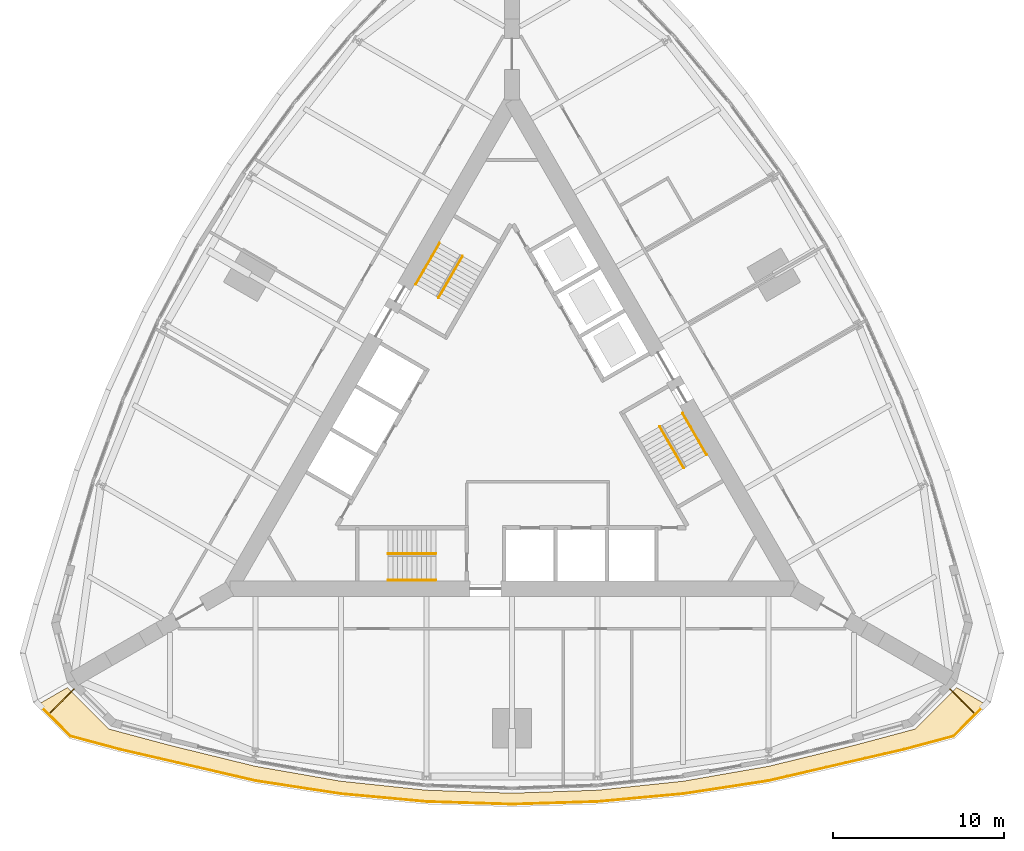
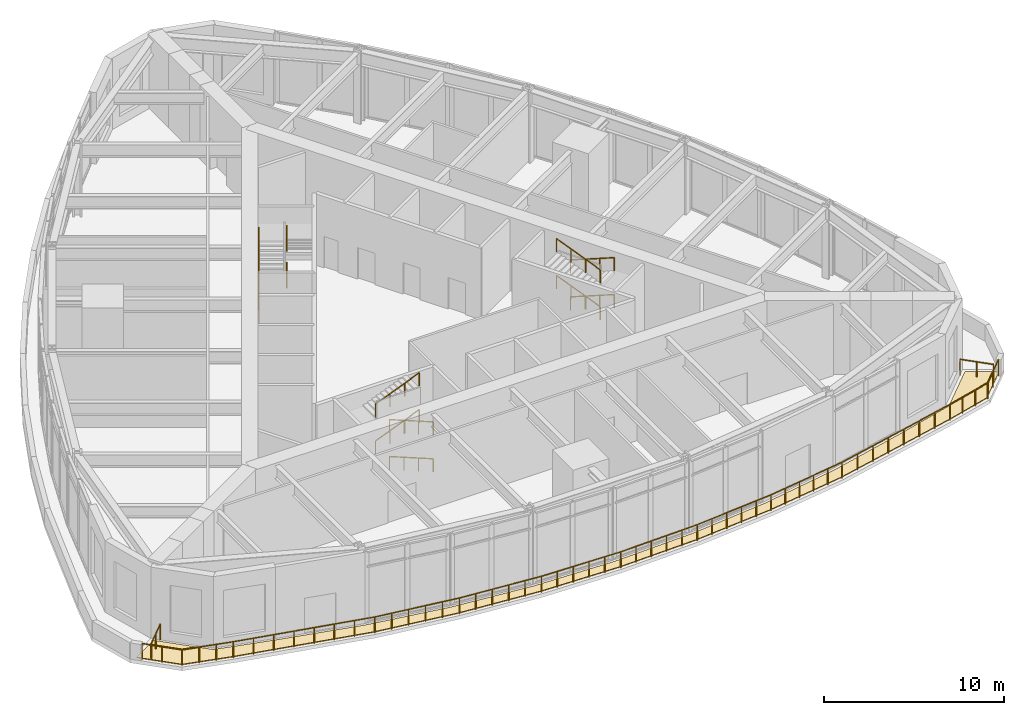
# One storey, part 13 of 14: 15 railings, 1 covering.
"""IFC4 building model written with IfcOpenShell, lengths in metres."""

from ifc_helpers import new_model, si_unit, direction, frame, origin, origin_2d, place, context, subcontext, project, spatial, polyline, circle, outline, extrude, material, layer, layer_set, type_object, element, save


model = new_model("IFC4")

# Units and contexts
model_context = context("Model", 3, precision=1e-05, world=origin(), true_north=direction((0.0, 1.0)))
body_context = subcontext(model_context, "Body", "Model", "MODEL_VIEW")
ifc_project = project(units=[si_unit("LENGTHUNIT", "METRE"), si_unit("AREAUNIT", "SQUARE_METRE"), si_unit("VOLUMEUNIT", "CUBIC_METRE"), si_unit("PLANEANGLEUNIT", "RADIAN"), si_unit("MASSUNIT", "GRAM", prefix="KILO")], contexts=[model_context])

# Site, building, storey
site_placement = place(None, origin())
site = spatial("IfcSite", under=ifc_project, at=site_placement, CompositionType="ELEMENT")
building_placement = place(site_placement, origin())
building = spatial("IfcBuilding", under=site, at=building_placement, Name="Trikona Tower", CompositionType="ELEMENT")
storey_placement = place(building_placement, frame((0.0, 0.0, 109.699951171875)))
storey = spatial("IfcBuildingStorey", under=building, at=storey_placement, Name="L28", CompositionType="ELEMENT", Elevation=109.699951171875)

# Railings
ifc_material_1 = material(Name="Galvanised steel fence with welded mesh infill", Category="steel")
railing_type_1 = type_object("IfcRailingType", Name="Green roof fence 1100", PredefinedType="GUARDRAIL", material=ifc_material_1)
railing_1_placement = place(storey_placement, frame((-26.981689453125, -16.760009765625, 0.0)))
element("IfcRailing", 1, at=railing_1_placement, inside=storey, type_object=railing_type_1, Name="Green roof fence L28-1a", PredefinedType="GUARDRAIL", context=body_context, shape_type="SweptSolid", body=[
    extrude(circle(Radius=0.02392578125, at=origin_2d()), frame((0.0, 0.0, 1.076171875), z_axis=(0.707106781187, 0.707106781187, 0.0), x_axis=(-0.707106781187, 0.707106781187, 0.0)), (0.0, 0.0, 1.0), 1.9306640625),
    extrude(circle(Radius=0.02099609375, at=origin_2d()), origin(), (0.0, 0.0, 1.0), 1.052001953125),
    extrude(circle(Radius=0.02099609375, at=origin_2d()), frame((0.6826171875, 0.6826171875, 0.0)), (0.0, 0.0, 1.0), 1.052001953125),
    extrude(circle(Radius=0.02099609375, at=origin_2d()), frame((1.365234375, 1.365234375, 0.0)), (0.0, 0.0, 1.0), 1.052001953125),
])
railing_2_placement = place(storey_placement, frame((26.981689453125, -16.760009765625, 0.0)))
element("IfcRailing", 2, at=railing_2_placement, inside=storey, type_object=railing_type_1, Name="Green roof fence L28-1b", PredefinedType="GUARDRAIL", context=body_context, shape_type="SweptSolid", body=[
    extrude(circle(Radius=0.02392578125, at=origin_2d()), frame((0.0, 0.0, 1.076171875), z_axis=(-0.707106781187, 0.707106781187, 0.0), x_axis=(-0.707106781187, -0.707106781187, 0.0)), (0.0, 0.0, 1.0), 1.9306640625),
    extrude(circle(Radius=0.02099609375, at=origin_2d()), origin(), (0.0, 0.0, 1.0), 1.052001953125),
    extrude(circle(Radius=0.02099609375, at=origin_2d()), frame((-0.6826171875, 0.6826171875, 0.0)), (0.0, 0.0, 1.0), 1.052001953125),
    extrude(circle(Radius=0.02099609375, at=origin_2d()), frame((-1.365234375, 1.365234375, 0.0)), (0.0, 0.0, 1.0), 1.052001953125),
])
ifc_material_2 = material(Name="Stainless steel handrail", Category="steel")
railing_type_2 = type_object("IfcRailingType", Name="Stair handrail", PredefinedType="HANDRAIL", material=ifc_material_2)
railing_3_placement = place(storey_placement, frame((-4.449951171875, -9.016357421875, 0.11376953125)))
element("IfcRailing", 3, at=railing_3_placement, inside=storey, type_object=railing_type_2, Name="Stair handrail A L28 1", PredefinedType="HANDRAIL", context=body_context, shape_type="SweptSolid", body=[
    extrude(circle(Radius=0.02392578125, at=origin_2d()), frame((0.0, 0.0, 0.8759765625), z_axis=(-0.92661529123, 0.0, 0.376010773859), x_axis=(0.0, -1.0, 0.0)), (0.0, 0.0, 1.0), 3.021728515625),
    extrude(circle(Radius=0.02099609375, at=origin_2d()), origin(), (0.0, 0.0, 1.0), 0.851806640625),
    extrude(circle(Radius=0.02099609375, at=origin_2d()), frame((-0.933349609375, 0.0, 0.378662109375)), (0.0, 0.0, 1.0), 0.851806640625),
    extrude(circle(Radius=0.02099609375, at=origin_2d()), frame((-1.86669921875, 0.0, 0.757568359375)), (0.0, 0.0, 1.0), 0.851806640625),
    extrude(circle(Radius=0.02099609375, at=origin_2d()), frame((-2.800048828125, 0.0, 1.13623046875)), (0.0, 0.0, 1.0), 0.851806640625),
])
railing_4_placement = place(storey_placement, frame((-7.25, -7.46630859375, 1.36376953125)))
element("IfcRailing", 4, at=railing_4_placement, inside=storey, type_object=railing_type_2, Name="Stair handrail A L28 2", PredefinedType="HANDRAIL", context=body_context, shape_type="SweptSolid", body=[
    extrude(circle(Radius=0.02392578125, at=origin_2d()), frame((0.0, 0.0, 0.8759765625), z_axis=(0.92661529123, 0.0, 0.376010773859), x_axis=(0.0, 1.0, 0.0)), (0.0, 0.0, 1.0), 3.021728515625),
    extrude(circle(Radius=0.02099609375, at=origin_2d()), origin(), (0.0, 0.0, 1.0), 0.851806640625),
    extrude(circle(Radius=0.02099609375, at=origin_2d()), frame((0.933349609375, 0.0, 0.378662109375)), (0.0, 0.0, 1.0), 0.851806640625),
    extrude(circle(Radius=0.02099609375, at=origin_2d()), frame((1.86669921875, 0.0, 0.757568359375)), (0.0, 0.0, 1.0), 0.851806640625),
    extrude(circle(Radius=0.02099609375, at=origin_2d()), frame((2.800048828125, 0.0, 1.13623046875)), (0.0, 0.0, 1.0), 0.851806640625),
])
railing_5_placement = place(storey_placement, frame((-4.449951171875, -9.016357421875, 2.61376953125)))
element("IfcRailing", 5, at=railing_5_placement, inside=storey, type_object=railing_type_2, Name="Stair handrail A L28 3", PredefinedType="HANDRAIL", context=body_context, shape_type="SweptSolid", body=[
    extrude(circle(Radius=0.02392578125, at=origin_2d()), frame((0.0, 0.0, 0.8759765625), z_axis=(-0.92661529123, 0.0, 0.376010773859), x_axis=(0.0, -1.0, 0.0)), (0.0, 0.0, 1.0), 3.021728515625),
    extrude(circle(Radius=0.02099609375, at=origin_2d()), origin(), (0.0, 0.0, 1.0), 0.851806640625),
    extrude(circle(Radius=0.02099609375, at=origin_2d()), frame((-0.933349609375, 0.0, 0.378662109375)), (0.0, 0.0, 1.0), 0.851806640625),
    extrude(circle(Radius=0.02099609375, at=origin_2d()), frame((-1.86669921875, 0.0, 0.757568359375)), (0.0, 0.0, 1.0), 0.851806640625),
    extrude(circle(Radius=0.02099609375, at=origin_2d()), frame((-2.800048828125, 0.0, 1.13623046875)), (0.0, 0.0, 1.0), 0.851806640625),
])
railing_6_placement = place(storey_placement, frame((-7.25, -7.46630859375, 3.86376953125)))
element("IfcRailing", 6, at=railing_6_placement, inside=storey, type_object=railing_type_2, Name="Stair handrail A L28 4", PredefinedType="HANDRAIL", context=body_context, shape_type="SweptSolid", body=[
    extrude(circle(Radius=0.02392578125, at=origin_2d()), frame((0.0, 0.0, 0.8759765625), z_axis=(0.92661529123, 0.0, 0.376010773859), x_axis=(0.0, 1.0, 0.0)), (0.0, 0.0, 1.0), 3.021728515625),
    extrude(circle(Radius=0.02099609375, at=origin_2d()), origin(), (0.0, 0.0, 1.0), 0.851806640625),
    extrude(circle(Radius=0.02099609375, at=origin_2d()), frame((0.933349609375, 0.0, 0.378662109375)), (0.0, 0.0, 1.0), 0.851806640625),
    extrude(circle(Radius=0.02099609375, at=origin_2d()), frame((1.86669921875, 0.0, 0.757568359375)), (0.0, 0.0, 1.0), 0.851806640625),
    extrude(circle(Radius=0.02099609375, at=origin_2d()), frame((2.800048828125, 0.0, 1.13623046875)), (0.0, 0.0, 1.0), 0.851806640625),
])
railing_7_placement = place(storey_placement, frame((9.9833984375, 0.740966796875, 0.11376953125)))
element("IfcRailing", 7, at=railing_7_placement, inside=storey, type_object=railing_type_2, Name="Stair handrail B L28 1", PredefinedType="HANDRAIL", context=body_context, shape_type="SweptSolid", body=[
    extrude(circle(Radius=0.02392578125, at=origin_2d()), frame((0.0, 0.0, 0.8759765625), z_axis=(0.463259259941, -0.802503353505, 0.37600428946), x_axis=(0.866056369097, 0.49994636267, 0.0)), (0.0, 0.0, 1.0), 3.02197265625),
    extrude(circle(Radius=0.02099609375, at=origin_2d()), origin(), (0.0, 0.0, 1.0), 0.851806640625),
    extrude(circle(Radius=0.02099609375, at=origin_2d()), frame((0.466552734375, -0.808349609375, 0.378662109375)), (0.0, 0.0, 1.0), 0.851806640625),
    extrude(circle(Radius=0.02099609375, at=origin_2d()), frame((0.933349609375, -1.61669921875, 0.757568359375)), (0.0, 0.0, 1.0), 0.851806640625),
    extrude(circle(Radius=0.02099609375, at=origin_2d()), frame((1.39990234375, -2.425048828125, 1.13623046875)), (0.0, 0.0, 1.0), 0.851806640625),
])
railing_8_placement = place(storey_placement, frame((10.041015625, -2.458984375, 1.36376953125)))
element("IfcRailing", 8, at=railing_8_placement, inside=storey, type_object=railing_type_2, Name="Stair handrail B L28 2", PredefinedType="HANDRAIL", context=body_context, shape_type="SweptSolid", body=[
    extrude(circle(Radius=0.02392578125, at=origin_2d()), frame((0.0, 0.0, 0.8759765625), z_axis=(-0.463259259941, 0.802503353505, 0.37600428946), x_axis=(-0.866056369097, -0.49994636267, 0.0)), (0.0, 0.0, 1.0), 3.02197265625),
    extrude(circle(Radius=0.02099609375, at=origin_2d()), origin(), (0.0, 0.0, 1.0), 0.851806640625),
    extrude(circle(Radius=0.02099609375, at=origin_2d()), frame((-0.466552734375, 0.808349609375, 0.378662109375)), (0.0, 0.0, 1.0), 0.851806640625),
    extrude(circle(Radius=0.02099609375, at=origin_2d()), frame((-0.933349609375, 1.61669921875, 0.757568359375)), (0.0, 0.0, 1.0), 0.851806640625),
    extrude(circle(Radius=0.02099609375, at=origin_2d()), frame((-1.39990234375, 2.425048828125, 1.13623046875)), (0.0, 0.0, 1.0), 0.851806640625),
])
railing_9_placement = place(storey_placement, frame((9.9833984375, 0.740966796875, 2.61376953125)))
element("IfcRailing", 9, at=railing_9_placement, inside=storey, type_object=railing_type_2, Name="Stair handrail B L28 3", PredefinedType="HANDRAIL", context=body_context, shape_type="SweptSolid", body=[
    extrude(circle(Radius=0.02392578125, at=origin_2d()), frame((0.0, 0.0, 0.8759765625), z_axis=(0.463259259941, -0.802503353505, 0.37600428946), x_axis=(0.866056369097, 0.49994636267, 0.0)), (0.0, 0.0, 1.0), 3.02197265625),
    extrude(circle(Radius=0.02099609375, at=origin_2d()), origin(), (0.0, 0.0, 1.0), 0.851806640625),
    extrude(circle(Radius=0.02099609375, at=origin_2d()), frame((0.466552734375, -0.808349609375, 0.378662109375)), (0.0, 0.0, 1.0), 0.851806640625),
    extrude(circle(Radius=0.02099609375, at=origin_2d()), frame((0.933349609375, -1.61669921875, 0.757568359375)), (0.0, 0.0, 1.0), 0.851806640625),
    extrude(circle(Radius=0.02099609375, at=origin_2d()), frame((1.39990234375, -2.425048828125, 1.13623046875)), (0.0, 0.0, 1.0), 0.851806640625),
])
railing_10_placement = place(storey_placement, frame((10.041015625, -2.458984375, 3.86376953125)))
element("IfcRailing", 10, at=railing_10_placement, inside=storey, type_object=railing_type_2, Name="Stair handrail B L28 4", PredefinedType="HANDRAIL", context=body_context, shape_type="SweptSolid", body=[
    extrude(circle(Radius=0.02392578125, at=origin_2d()), frame((0.0, 0.0, 0.8759765625), z_axis=(-0.463259259941, 0.802503353505, 0.37600428946), x_axis=(-0.866056369097, -0.49994636267, 0.0)), (0.0, 0.0, 1.0), 3.02197265625),
    extrude(circle(Radius=0.02099609375, at=origin_2d()), origin(), (0.0, 0.0, 1.0), 0.851806640625),
    extrude(circle(Radius=0.02099609375, at=origin_2d()), frame((-0.466552734375, 0.808349609375, 0.378662109375)), (0.0, 0.0, 1.0), 0.851806640625),
    extrude(circle(Radius=0.02099609375, at=origin_2d()), frame((-0.933349609375, 1.61669921875, 0.757568359375)), (0.0, 0.0, 1.0), 0.851806640625),
    extrude(circle(Radius=0.02099609375, at=origin_2d()), frame((-1.39990234375, 2.425048828125, 1.13623046875)), (0.0, 0.0, 1.0), 0.851806640625),
])
railing_11_placement = place(storey_placement, frame((-5.63330078125, 8.275390625, 0.11376953125)))
element("IfcRailing", 11, at=railing_11_placement, inside=storey, type_object=railing_type_2, Name="Stair handrail C L28 1", PredefinedType="HANDRAIL", context=body_context, shape_type="SweptSolid", body=[
    extrude(circle(Radius=0.02392578125, at=origin_2d()), frame((0.0, 0.0, 0.8759765625), z_axis=(0.463289297025, 0.802474589824, 0.376028669053), x_axis=(-0.866034573852, 0.49998411664, 0.0)), (0.0, 0.0, 1.0), 3.021728515625),
    extrude(circle(Radius=0.02099609375, at=origin_2d()), origin(), (0.0, 0.0, 1.0), 0.851806640625),
    extrude(circle(Radius=0.02099609375, at=origin_2d()), frame((0.466552734375, 0.808349609375, 0.378662109375)), (0.0, 0.0, 1.0), 0.851806640625),
    extrude(circle(Radius=0.02099609375, at=origin_2d()), frame((0.933349609375, 1.616455078125, 0.757568359375)), (0.0, 0.0, 1.0), 0.851806640625),
    extrude(circle(Radius=0.02099609375, at=origin_2d()), frame((1.39990234375, 2.4248046875, 1.13623046875)), (0.0, 0.0, 1.0), 0.851806640625),
])
railing_12_placement = place(storey_placement, frame((-2.89111328125, 9.92529296875, 1.36376953125)))
element("IfcRailing", 12, at=railing_12_placement, inside=storey, type_object=railing_type_2, Name="Stair handrail C L28 2", PredefinedType="HANDRAIL", context=body_context, shape_type="SweptSolid", body=[
    extrude(circle(Radius=0.02392578125, at=origin_2d()), frame((0.0, 0.0, 0.8759765625), z_axis=(-0.463259259941, -0.802503353505, 0.37600428946), x_axis=(0.866056369097, -0.49994636267, 0.0)), (0.0, 0.0, 1.0), 3.02197265625),
    extrude(circle(Radius=0.02099609375, at=origin_2d()), origin(), (0.0, 0.0, 1.0), 0.851806640625),
    extrude(circle(Radius=0.02099609375, at=origin_2d()), frame((-0.466552734375, -0.808349609375, 0.378662109375)), (0.0, 0.0, 1.0), 0.851806640625),
    extrude(circle(Radius=0.02099609375, at=origin_2d()), frame((-0.933349609375, -1.61669921875, 0.757568359375)), (0.0, 0.0, 1.0), 0.851806640625),
    extrude(circle(Radius=0.02099609375, at=origin_2d()), frame((-1.39990234375, -2.425048828125, 1.13623046875)), (0.0, 0.0, 1.0), 0.851806640625),
])
railing_13_placement = place(storey_placement, frame((-5.63330078125, 8.275390625, 2.61376953125)))
element("IfcRailing", 13, at=railing_13_placement, inside=storey, type_object=railing_type_2, Name="Stair handrail C L28 3", PredefinedType="HANDRAIL", context=body_context, shape_type="SweptSolid", body=[
    extrude(circle(Radius=0.02392578125, at=origin_2d()), frame((0.0, 0.0, 0.8759765625), z_axis=(0.463289297025, 0.802474589824, 0.376028669053), x_axis=(-0.866034573852, 0.49998411664, 0.0)), (0.0, 0.0, 1.0), 3.021728515625),
    extrude(circle(Radius=0.02099609375, at=origin_2d()), origin(), (0.0, 0.0, 1.0), 0.851806640625),
    extrude(circle(Radius=0.02099609375, at=origin_2d()), frame((0.466552734375, 0.808349609375, 0.378662109375)), (0.0, 0.0, 1.0), 0.851806640625),
    extrude(circle(Radius=0.02099609375, at=origin_2d()), frame((0.933349609375, 1.616455078125, 0.757568359375)), (0.0, 0.0, 1.0), 0.851806640625),
    extrude(circle(Radius=0.02099609375, at=origin_2d()), frame((1.39990234375, 2.4248046875, 1.13623046875)), (0.0, 0.0, 1.0), 0.851806640625),
])
railing_14_placement = place(storey_placement, frame((-2.89111328125, 9.92529296875, 3.86376953125)))
element("IfcRailing", 14, at=railing_14_placement, inside=storey, type_object=railing_type_2, Name="Stair handrail C L28 4", PredefinedType="HANDRAIL", context=body_context, shape_type="SweptSolid", body=[
    extrude(circle(Radius=0.02392578125, at=origin_2d()), frame((0.0, 0.0, 0.8759765625), z_axis=(-0.463259259941, -0.802503353505, 0.37600428946), x_axis=(0.866056369097, -0.49994636267, 0.0)), (0.0, 0.0, 1.0), 3.02197265625),
    extrude(circle(Radius=0.02099609375, at=origin_2d()), origin(), (0.0, 0.0, 1.0), 0.851806640625),
    extrude(circle(Radius=0.02099609375, at=origin_2d()), frame((-0.466552734375, -0.808349609375, 0.378662109375)), (0.0, 0.0, 1.0), 0.851806640625),
    extrude(circle(Radius=0.02099609375, at=origin_2d()), frame((-0.933349609375, -1.61669921875, 0.757568359375)), (0.0, 0.0, 1.0), 0.851806640625),
    extrude(circle(Radius=0.02099609375, at=origin_2d()), frame((-1.39990234375, -2.425048828125, 1.13623046875)), (0.0, 0.0, 1.0), 0.851806640625),
])
ifc_material_3 = material(Name="Stainless steel guard with glass infill", Category="steel")
railing_type_3 = type_object("IfcRailingType", Name="Terrace guard 1100", PredefinedType="GUARDRAIL", material=ifc_material_3)
railing_15_placement = place(storey_placement, frame((27.441162109375, -16.512451171875, 0.0)))
element("IfcRailing", 15, at=railing_15_placement, inside=storey, type_object=railing_type_3, Name="Terrace guard L28-1", PredefinedType="GUARDRAIL", context=body_context, shape_type="SweptSolid", body=[
    extrude(circle(Radius=0.02392578125, at=origin_2d()), frame((0.0, 0.0, 1.076171875), z_axis=(-0.707106781187, -0.707106781187, 0.0), x_axis=(0.707106781187, -0.707106781187, 0.0)), (0.0, 0.0, 1.0), 2.30810546875),
    extrude(circle(Radius=0.02392578125, at=origin_2d()), frame((-1.632080078125, -1.632080078125, 1.076171875), z_axis=(-0.965924745526, -0.258823078531, 0.0), x_axis=(0.258823078531, -0.965924745526, 0.0)), (0.0, 0.0, 1.0), 2.94580078125),
    extrude(circle(Radius=0.02392578125, at=origin_2d()), frame((-4.4775390625, -2.39453125, 1.076171875), z_axis=(-0.974275193246, -0.225361593501, 0.0), x_axis=(0.225361593501, -0.974275193246, 0.0)), (0.0, 0.0, 1.0), 8.202880859375),
    extrude(circle(Radius=0.02392578125, at=origin_2d()), frame((-12.469482421875, -4.2431640625, 1.076171875), z_axis=(-0.988619775708, -0.150435830436, 0.0), x_axis=(0.150435830436, -0.988619775708, 0.0)), (0.0, 0.0, 1.0), 5.047119140625),
    extrude(circle(Radius=0.02392578125, at=origin_2d()), frame((-17.459228515625, -5.00244140625, 1.076171875), z_axis=(-0.995855587326, -0.090948607422, 0.0), x_axis=(0.090948607422, -0.995855587326, 0.0)), (0.0, 0.0, 1.0), 5.01171875),
    extrude(circle(Radius=0.02392578125, at=origin_2d()), frame((-22.4501953125, -5.458251953125, 1.076171875), z_axis=(-0.999537448483, -0.030411989089, 0.0), x_axis=(0.030411989089, -0.999537448483, 0.0)), (0.0, 0.0, 1.0), 4.9931640625),
    extrude(circle(Radius=0.02392578125, at=origin_2d()), frame((-27.441162109375, -5.610107421875, 1.076171875), z_axis=(-0.999537448483, 0.030411989089, 0.0), x_axis=(-0.030411989089, -0.999537448483, 0.0)), (0.0, 0.0, 1.0), 4.9931640625),
    extrude(circle(Radius=0.02392578125, at=origin_2d()), frame((-32.43212890625, -5.458251953125, 1.076171875), z_axis=(-0.995855587326, 0.090948607422, 0.0), x_axis=(-0.090948607422, -0.995855587326, 0.0)), (0.0, 0.0, 1.0), 5.01171875),
    extrude(circle(Radius=0.02392578125, at=origin_2d()), frame((-37.423095703125, -5.00244140625, 1.076171875), z_axis=(-0.988619775708, 0.150435830436, 0.0), x_axis=(-0.150435830436, -0.988619775708, 0.0)), (0.0, 0.0, 1.0), 5.047119140625),
    extrude(circle(Radius=0.02392578125, at=origin_2d()), frame((-42.412841796875, -4.2431640625, 1.076171875), z_axis=(-0.974275193246, 0.225361593501, 0.0), x_axis=(-0.225361593501, -0.974275193246, 0.0)), (0.0, 0.0, 1.0), 8.202880859375),
    extrude(circle(Radius=0.02392578125, at=origin_2d()), frame((-50.40478515625, -2.39453125, 1.076171875), z_axis=(-0.965924745526, 0.258823078531, 0.0), x_axis=(-0.258823078531, -0.965924745526, 0.0)), (0.0, 0.0, 1.0), 2.94580078125),
    extrude(circle(Radius=0.02392578125, at=origin_2d()), frame((-53.250244140625, -1.632080078125, 1.076171875), z_axis=(-0.707106781187, 0.707106781187, 0.0), x_axis=(-0.707106781187, -0.707106781187, 0.0)), (0.0, 0.0, 1.0), 2.30810546875),
    extrude(circle(Radius=0.02099609375, at=origin_2d()), origin(), (0.0, 0.0, 1.0), 1.052001953125),
    extrude(circle(Radius=0.02099609375, at=origin_2d()), frame((-0.81591796875, -0.81591796875, 0.0)), (0.0, 0.0, 1.0), 1.052001953125),
    extrude(circle(Radius=0.02099609375, at=origin_2d()), frame((-1.632080078125, -1.632080078125, 0.0)), (0.0, 0.0, 1.0), 1.052001953125),
    extrude(circle(Radius=0.02099609375, at=origin_2d()), frame((-2.58056640625, -1.88623046875, 0.0)), (0.0, 0.0, 1.0), 1.052001953125),
    extrude(circle(Radius=0.02099609375, at=origin_2d()), frame((-3.529052734375, -2.140380859375, 0.0)), (0.0, 0.0, 1.0), 1.052001953125),
    extrude(circle(Radius=0.02099609375, at=origin_2d()), frame((-4.4775390625, -2.39453125, 0.0)), (0.0, 0.0, 1.0), 1.052001953125),
    extrude(circle(Radius=0.02099609375, at=origin_2d()), frame((-5.619140625, -2.65869140625, 0.0)), (0.0, 0.0, 1.0), 1.052001953125),
    extrude(circle(Radius=0.02099609375, at=origin_2d()), frame((-6.760986328125, -2.922607421875, 0.0)), (0.0, 0.0, 1.0), 1.052001953125),
    extrude(circle(Radius=0.02099609375, at=origin_2d()), frame((-7.902587890625, -3.186767578125, 0.0)), (0.0, 0.0, 1.0), 1.052001953125),
    extrude(circle(Radius=0.02099609375, at=origin_2d()), frame((-9.04443359375, -3.450927734375, 0.0)), (0.0, 0.0, 1.0), 1.052001953125),
    extrude(circle(Radius=0.02099609375, at=origin_2d()), frame((-10.18603515625, -3.715087890625, 0.0)), (0.0, 0.0, 1.0), 1.052001953125),
    extrude(circle(Radius=0.02099609375, at=origin_2d()), frame((-11.327880859375, -3.97900390625, 0.0)), (0.0, 0.0, 1.0), 1.052001953125),
    extrude(circle(Radius=0.02099609375, at=origin_2d()), frame((-12.469482421875, -4.2431640625, 0.0)), (0.0, 0.0, 1.0), 1.052001953125),
    extrude(circle(Radius=0.02099609375, at=origin_2d()), frame((-13.467529296875, -4.39501953125, 0.0)), (0.0, 0.0, 1.0), 1.052001953125),
    extrude(circle(Radius=0.02099609375, at=origin_2d()), frame((-14.46533203125, -4.546875, 0.0)), (0.0, 0.0, 1.0), 1.052001953125),
    extrude(circle(Radius=0.02099609375, at=origin_2d()), frame((-15.46337890625, -4.69873046875, 0.0)), (0.0, 0.0, 1.0), 1.052001953125),
    extrude(circle(Radius=0.02099609375, at=origin_2d()), frame((-16.461181640625, -4.8505859375, 0.0)), (0.0, 0.0, 1.0), 1.052001953125),
    extrude(circle(Radius=0.02099609375, at=origin_2d()), frame((-17.459228515625, -5.00244140625, 0.0)), (0.0, 0.0, 1.0), 1.052001953125),
    extrude(circle(Radius=0.02099609375, at=origin_2d()), frame((-18.45751953125, -5.093505859375, 0.0)), (0.0, 0.0, 1.0), 1.052001953125),
    extrude(circle(Radius=0.02099609375, at=origin_2d()), frame((-19.45556640625, -5.184814453125, 0.0)), (0.0, 0.0, 1.0), 1.052001953125),
    extrude(circle(Radius=0.02099609375, at=origin_2d()), frame((-20.453857421875, -5.27587890625, 0.0)), (0.0, 0.0, 1.0), 1.052001953125),
    extrude(circle(Radius=0.02099609375, at=origin_2d()), frame((-21.451904296875, -5.3671875, 0.0)), (0.0, 0.0, 1.0), 1.052001953125),
    extrude(circle(Radius=0.02099609375, at=origin_2d()), frame((-22.4501953125, -5.458251953125, 0.0)), (0.0, 0.0, 1.0), 1.052001953125),
    extrude(circle(Radius=0.02099609375, at=origin_2d()), frame((-23.448486328125, -5.488525390625, 0.0)), (0.0, 0.0, 1.0), 1.052001953125),
    extrude(circle(Radius=0.02099609375, at=origin_2d()), frame((-24.446533203125, -5.51904296875, 0.0)), (0.0, 0.0, 1.0), 1.052001953125),
    extrude(circle(Radius=0.02099609375, at=origin_2d()), frame((-25.44482421875, -5.54931640625, 0.0)), (0.0, 0.0, 1.0), 1.052001953125),
    extrude(circle(Radius=0.02099609375, at=origin_2d()), frame((-26.44287109375, -5.579833984375, 0.0)), (0.0, 0.0, 1.0), 1.052001953125),
    extrude(circle(Radius=0.02099609375, at=origin_2d()), frame((-27.441162109375, -5.610107421875, 0.0)), (0.0, 0.0, 1.0), 1.052001953125),
    extrude(circle(Radius=0.02099609375, at=origin_2d()), frame((-28.439453125, -5.579833984375, 0.0)), (0.0, 0.0, 1.0), 1.052001953125),
    extrude(circle(Radius=0.02099609375, at=origin_2d()), frame((-29.4375, -5.54931640625, 0.0)), (0.0, 0.0, 1.0), 1.052001953125),
    extrude(circle(Radius=0.02099609375, at=origin_2d()), frame((-30.435791015625, -5.51904296875, 0.0)), (0.0, 0.0, 1.0), 1.052001953125),
    extrude(circle(Radius=0.02099609375, at=origin_2d()), frame((-31.433837890625, -5.488525390625, 0.0)), (0.0, 0.0, 1.0), 1.052001953125),
    extrude(circle(Radius=0.02099609375, at=origin_2d()), frame((-32.43212890625, -5.458251953125, 0.0)), (0.0, 0.0, 1.0), 1.052001953125),
    extrude(circle(Radius=0.02099609375, at=origin_2d()), frame((-33.430419921875, -5.3671875, 0.0)), (0.0, 0.0, 1.0), 1.052001953125),
    extrude(circle(Radius=0.02099609375, at=origin_2d()), frame((-34.428466796875, -5.27587890625, 0.0)), (0.0, 0.0, 1.0), 1.052001953125),
    extrude(circle(Radius=0.02099609375, at=origin_2d()), frame((-35.4267578125, -5.184814453125, 0.0)), (0.0, 0.0, 1.0), 1.052001953125),
    extrude(circle(Radius=0.02099609375, at=origin_2d()), frame((-36.4248046875, -5.093505859375, 0.0)), (0.0, 0.0, 1.0), 1.052001953125),
    extrude(circle(Radius=0.02099609375, at=origin_2d()), frame((-37.423095703125, -5.00244140625, 0.0)), (0.0, 0.0, 1.0), 1.052001953125),
    extrude(circle(Radius=0.02099609375, at=origin_2d()), frame((-38.421142578125, -4.8505859375, 0.0)), (0.0, 0.0, 1.0), 1.052001953125),
    extrude(circle(Radius=0.02099609375, at=origin_2d()), frame((-39.4189453125, -4.69873046875, 0.0)), (0.0, 0.0, 1.0), 1.052001953125),
    extrude(circle(Radius=0.02099609375, at=origin_2d()), frame((-40.4169921875, -4.546875, 0.0)), (0.0, 0.0, 1.0), 1.052001953125),
    extrude(circle(Radius=0.02099609375, at=origin_2d()), frame((-41.414794921875, -4.39501953125, 0.0)), (0.0, 0.0, 1.0), 1.052001953125),
    extrude(circle(Radius=0.02099609375, at=origin_2d()), frame((-42.412841796875, -4.2431640625, 0.0)), (0.0, 0.0, 1.0), 1.052001953125),
    extrude(circle(Radius=0.02099609375, at=origin_2d()), frame((-43.554443359375, -3.97900390625, 0.0)), (0.0, 0.0, 1.0), 1.052001953125),
    extrude(circle(Radius=0.02099609375, at=origin_2d()), frame((-44.6962890625, -3.715087890625, 0.0)), (0.0, 0.0, 1.0), 1.052001953125),
    extrude(circle(Radius=0.02099609375, at=origin_2d()), frame((-45.837890625, -3.450927734375, 0.0)), (0.0, 0.0, 1.0), 1.052001953125),
    extrude(circle(Radius=0.02099609375, at=origin_2d()), frame((-46.979736328125, -3.186767578125, 0.0)), (0.0, 0.0, 1.0), 1.052001953125),
    extrude(circle(Radius=0.02099609375, at=origin_2d()), frame((-48.121337890625, -2.922607421875, 0.0)), (0.0, 0.0, 1.0), 1.052001953125),
    extrude(circle(Radius=0.02099609375, at=origin_2d()), frame((-49.26318359375, -2.65869140625, 0.0)), (0.0, 0.0, 1.0), 1.052001953125),
    extrude(circle(Radius=0.02099609375, at=origin_2d()), frame((-50.40478515625, -2.39453125, 0.0)), (0.0, 0.0, 1.0), 1.052001953125),
    extrude(circle(Radius=0.02099609375, at=origin_2d()), frame((-51.353271484375, -2.140380859375, 0.0)), (0.0, 0.0, 1.0), 1.052001953125),
    extrude(circle(Radius=0.02099609375, at=origin_2d()), frame((-52.3017578125, -1.88623046875, 0.0)), (0.0, 0.0, 1.0), 1.052001953125),
    extrude(circle(Radius=0.02099609375, at=origin_2d()), frame((-53.250244140625, -1.632080078125, 0.0)), (0.0, 0.0, 1.0), 1.052001953125),
    extrude(circle(Radius=0.02099609375, at=origin_2d()), frame((-54.06640625, -0.81591796875, 0.0)), (0.0, 0.0, 1.0), 1.052001953125),
    extrude(circle(Radius=0.02099609375, at=origin_2d()), frame((-54.88232421875, 0.0, 0.0)), (0.0, 0.0, 1.0), 1.052001953125),
])

# Covering
ifc_material_4 = material(Name="Clay brick pavers on pedestals", Category="masonry")
ifc_layer = layer(ifc_material_4, 0.050048828125)
ifc_layer_set = layer_set([ifc_layer], Name="Terrace paving 50")
covering_type = type_object("IfcCoveringType", Name="Terrace paving 50", PredefinedType="FLOORING", material=ifc_layer_set)
covering_placement = place(storey_placement, origin())
element("IfcCovering", 16, at=covering_placement, inside=storey, type_object=covering_type, Name="Terrace paving L28", PredefinedType="FLOORING", context=body_context, shape_type="SweptSolid", body=[
    extrude(outline(polyline([(-27.6376953125, -16.245361328125), (-25.783203125, -18.099853515625), (-22.95166015625, -18.8583984375), (-14.96240234375, -20.706298828125), (-9.975830078125, -21.46533203125), (-4.98779296875, -21.920654296875), (0.0, -22.072509765625), (4.98779296875, -21.920654296875), (9.975830078125, -21.46533203125), (14.96240234375, -20.706298828125), (22.95166015625, -18.8583984375), (25.783203125, -18.099853515625), (27.6376953125, -16.245361328125), (25.997314453125, -15.298095703125), (23.6025390625, -17.69287109375), (23.57373046875, -17.7158203125), (23.555419921875, -17.726318359375), (23.5361328125, -17.73486328125), (20.048828125, -18.670166015625), (15.037841796875, -19.897705078125), (10.03125, -20.773681640625), (5.017578125, -21.300537109375), (-0.00341796875, -21.476318359375), (-5.017578125, -21.300537109375), (-10.03125, -20.773681640625), (-15.037841796875, -19.897705078125), (-20.048828125, -18.670166015625), (-23.5361328125, -17.73486328125), (-23.555419921875, -17.726318359375), (-23.57373046875, -17.7158203125), (-23.6025390625, -17.69287109375), (-25.997314453125, -15.298095703125), (-27.6376953125, -16.245361328125)])), origin(), (0.0, 0.0, 1.0), 0.050048828125),
])

save(model, "model.ifc")
